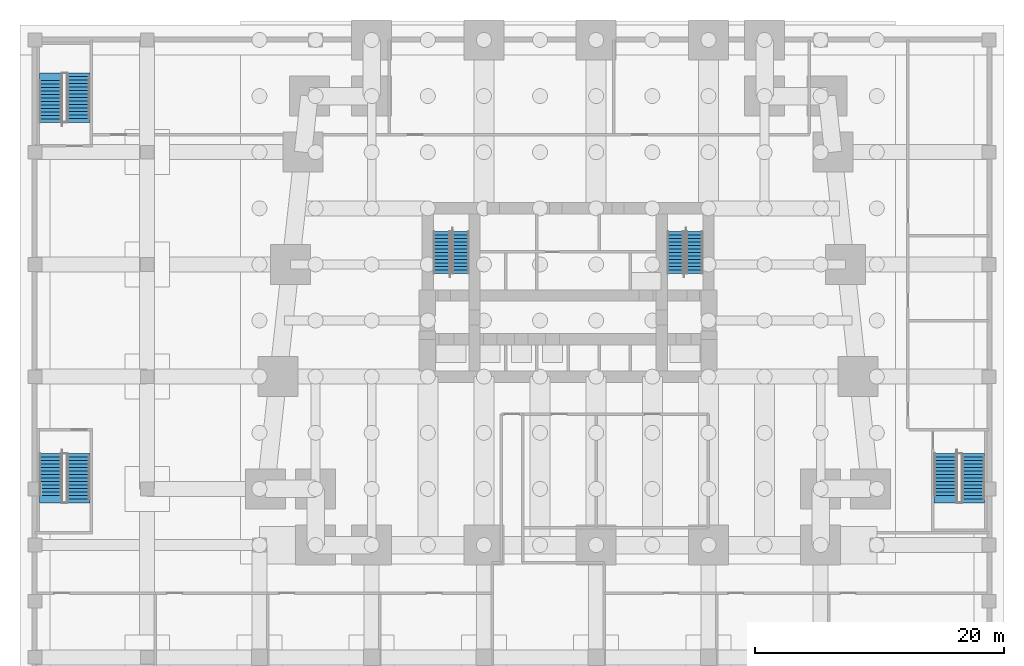
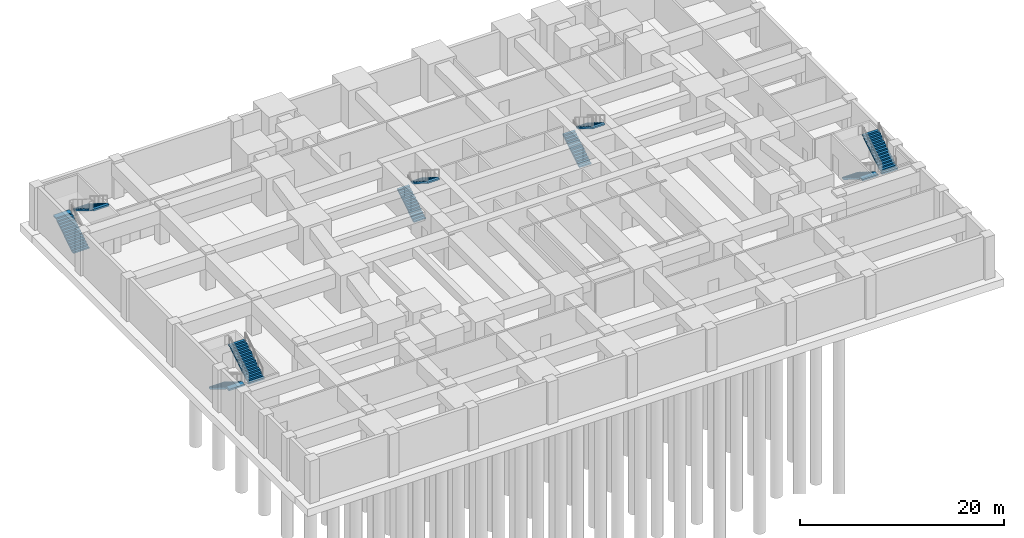
# One storey, part 6 of 9: 10 stair flights, 5 elements without a shape of their own.
"""IFC4 building model written with IfcOpenShell, lengths in metres."""

from ifc_helpers import new_model, si_unit, direction, frame, origin, place, context, subcontext, project, spatial, polyline, outline, extrude, material, type_object, element, aggregate, save


model = new_model("IFC4")

# Units and contexts
model_context = context("Model", 3, precision=1e-05, world=origin(), true_north=direction((0.0, 1.0)))
body_context = subcontext(model_context, "Body", "Model", "MODEL_VIEW")
ifc_project = project(units=[si_unit("LENGTHUNIT", "METRE"), si_unit("AREAUNIT", "SQUARE_METRE"), si_unit("VOLUMEUNIT", "CUBIC_METRE"), si_unit("PLANEANGLEUNIT", "RADIAN"), si_unit("MASSUNIT", "GRAM", prefix="KILO")], contexts=[model_context])

# Site, building, storey
site_placement = place(None, origin())
site = spatial("IfcSite", under=ifc_project, at=site_placement, CompositionType="ELEMENT")
building_placement = place(site_placement, origin())
building = spatial("IfcBuilding", under=site, at=building_placement, Name="Kilele Tower Hotel", CompositionType="ELEMENT")
storey_placement = place(building_placement, frame((0.0, 0.0, -9.0)))
storey = spatial("IfcBuildingStorey", under=building, at=storey_placement, Name="B2", CompositionType="ELEMENT", Elevation=-9.0)

# Stair, stair flights
ifc_material_1 = material(Name="Precast concrete C40/50", Category="concrete")
stair_type_1 = type_object("IfcStairType", Name="Stair 1325 x 4500", PredefinedType="HALF_TURN_STAIR", material=ifc_material_1)
stair_1_placement = place(storey_placement, origin())
stair_1 = element("IfcStair", 1, at=stair_1_placement, inside=storey, type_object=stair_type_1, Name="Stair 1 B2", PredefinedType="HALF_TURN_STAIR")
ifc_material_2 = material(Name="Precast concrete C40/50", Category="concrete")
stair_flight_type_1 = type_object("IfcStairFlightType", Name="Flight 1325 riser 173.1", PredefinedType="STRAIGHT", material=ifc_material_2)
stair_flight_1_placement = place(storey_placement, frame((14.612548828125, 21.77490234375, 0.0), z_axis=(0.0, 0.0, 1.0), x_axis=(0.0, 1.0, 0.0)))
stair_flight_1 = element("IfcStairFlight", 2, at=stair_flight_1_placement, type_object=stair_flight_type_1, Name="ST1 flight 1", NumberOfRisers=13, NumberOfTreads=12, PredefinedType="STRAIGHT", RiserHeight=0.173076923, TreadLength=0.28, context=body_context, shape_type="SweptSolid", body=[
    extrude(outline(polyline([(0.0, 0.0), (0.0, 0.173095703125), (0.280029296875, 0.173095703125), (0.280029296875, 0.34619140625), (0.56005859375, 0.34619140625), (0.56005859375, 0.519287109375), (0.840087890625, 0.519287109375), (0.840087890625, 0.6923828125), (1.1201171875, 0.6923828125), (1.1201171875, 0.865478515625), (1.39990234375, 0.865478515625), (1.39990234375, 1.03857421875), (1.679931640625, 1.03857421875), (1.679931640625, 1.21142578125), (1.9599609375, 1.21142578125), (1.9599609375, 1.384521484375), (2.239990234375, 1.384521484375), (2.239990234375, 1.5576171875), (2.52001953125, 1.5576171875), (2.52001953125, 1.730712890625), (2.800048828125, 1.730712890625), (2.800048828125, 1.90380859375), (3.080078125, 1.90380859375), (3.080078125, 2.076904296875), (3.360107421875, 2.076904296875), (3.360107421875, 2.25), (3.360107421875, 1.900634765625), (0.28515625, 0.0), (0.0, 0.0)])), frame((0.0, 0.66259765625, 0.0), z_axis=(0.0, -1.0, 0.0), x_axis=(1.0, 0.0, 0.0)), (0.0, 0.0, 1.0), 1.324951171875),
])
stair_flight_2_placement = place(storey_placement, frame((16.137451171875, 25.135009765625, 2.25), z_axis=(0.0, 0.0, 1.0), x_axis=(0.0, -1.0, 0.0)))
stair_flight_2 = element("IfcStairFlight", 3, at=stair_flight_2_placement, type_object=stair_flight_type_1, Name="ST1 flight 2", NumberOfRisers=13, NumberOfTreads=12, PredefinedType="STRAIGHT", RiserHeight=0.173076923, TreadLength=0.28, context=body_context, shape_type="SweptSolid", body=[
    extrude(outline(polyline([(0.0, 0.0), (0.0, 0.173095703125), (0.280029296875, 0.173095703125), (0.280029296875, 0.34619140625), (0.56005859375, 0.34619140625), (0.56005859375, 0.519287109375), (0.840087890625, 0.519287109375), (0.840087890625, 0.6923828125), (1.1201171875, 0.6923828125), (1.1201171875, 0.865478515625), (1.39990234375, 0.865478515625), (1.39990234375, 1.03857421875), (1.679931640625, 1.03857421875), (1.679931640625, 1.21142578125), (1.9599609375, 1.21142578125), (1.9599609375, 1.384521484375), (2.239990234375, 1.384521484375), (2.239990234375, 1.5576171875), (2.52001953125, 1.5576171875), (2.52001953125, 1.730712890625), (2.800048828125, 1.730712890625), (2.800048828125, 1.90380859375), (3.080078125, 1.90380859375), (3.080078125, 2.076904296875), (3.360107421875, 2.076904296875), (3.360107421875, 2.25), (3.360107421875, 1.900634765625), (0.28515625, 0.0), (0.0, 0.0)])), frame((0.0, 0.66259765625, 0.0), z_axis=(0.0, -1.0, 0.0), x_axis=(1.0, 0.0, 0.0)), (0.0, 0.0, 1.0), 1.324951171875),
])
aggregate(stair_1, [stair_flight_1, stair_flight_2])

stair_2_placement = place(storey_placement, origin())
stair_2 = element("IfcStair", 4, at=stair_2_placement, inside=storey, type_object=stair_type_1, Name="Stair 2 B2", PredefinedType="HALF_TURN_STAIR")
stair_flight_3_placement = place(storey_placement, frame((33.362548828125, 21.77490234375, 0.0), z_axis=(0.0, 0.0, 1.0), x_axis=(0.0, 1.0, 0.0)))
stair_flight_3 = element("IfcStairFlight", 5, at=stair_flight_3_placement, type_object=stair_flight_type_1, Name="ST2 flight 1", NumberOfRisers=13, NumberOfTreads=12, PredefinedType="STRAIGHT", RiserHeight=0.173076923, TreadLength=0.28, context=body_context, shape_type="SweptSolid", body=[
    extrude(outline(polyline([(0.0, 0.0), (0.0, 0.173095703125), (0.280029296875, 0.173095703125), (0.280029296875, 0.34619140625), (0.56005859375, 0.34619140625), (0.56005859375, 0.519287109375), (0.840087890625, 0.519287109375), (0.840087890625, 0.6923828125), (1.1201171875, 0.6923828125), (1.1201171875, 0.865478515625), (1.39990234375, 0.865478515625), (1.39990234375, 1.03857421875), (1.679931640625, 1.03857421875), (1.679931640625, 1.21142578125), (1.9599609375, 1.21142578125), (1.9599609375, 1.384521484375), (2.239990234375, 1.384521484375), (2.239990234375, 1.5576171875), (2.52001953125, 1.5576171875), (2.52001953125, 1.730712890625), (2.800048828125, 1.730712890625), (2.800048828125, 1.90380859375), (3.080078125, 1.90380859375), (3.080078125, 2.076904296875), (3.360107421875, 2.076904296875), (3.360107421875, 2.25), (3.360107421875, 1.900634765625), (0.28515625, 0.0), (0.0, 0.0)])), frame((0.0, 0.66259765625, 0.0), z_axis=(0.0, -1.0, 0.0), x_axis=(1.0, 0.0, 0.0)), (0.0, 0.0, 1.0), 1.324951171875),
])
stair_flight_4_placement = place(storey_placement, frame((34.887451171875, 25.135009765625, 2.25), z_axis=(0.0, 0.0, 1.0), x_axis=(0.0, -1.0, 0.0)))
stair_flight_4 = element("IfcStairFlight", 6, at=stair_flight_4_placement, type_object=stair_flight_type_1, Name="ST2 flight 2", NumberOfRisers=13, NumberOfTreads=12, PredefinedType="STRAIGHT", RiserHeight=0.173076923, TreadLength=0.28, context=body_context, shape_type="SweptSolid", body=[
    extrude(outline(polyline([(0.0, 0.0), (0.0, 0.173095703125), (0.280029296875, 0.173095703125), (0.280029296875, 0.34619140625), (0.56005859375, 0.34619140625), (0.56005859375, 0.519287109375), (0.840087890625, 0.519287109375), (0.840087890625, 0.6923828125), (1.1201171875, 0.6923828125), (1.1201171875, 0.865478515625), (1.39990234375, 0.865478515625), (1.39990234375, 1.03857421875), (1.679931640625, 1.03857421875), (1.679931640625, 1.21142578125), (1.9599609375, 1.21142578125), (1.9599609375, 1.384521484375), (2.239990234375, 1.384521484375), (2.239990234375, 1.5576171875), (2.52001953125, 1.5576171875), (2.52001953125, 1.730712890625), (2.800048828125, 1.730712890625), (2.800048828125, 1.90380859375), (3.080078125, 1.90380859375), (3.080078125, 2.076904296875), (3.360107421875, 2.076904296875), (3.360107421875, 2.25), (3.360107421875, 1.900634765625), (0.28515625, 0.0), (0.0, 0.0)])), frame((0.0, 0.66259765625, 0.0), z_axis=(0.0, -1.0, 0.0), x_axis=(1.0, 0.0, 0.0)), (0.0, 0.0, 1.0), 1.324951171875),
])
aggregate(stair_2, [stair_flight_3, stair_flight_4])

ifc_material_3 = material(Name="Precast concrete C40/50", Category="concrete")
stair_type_2 = type_object("IfcStairType", Name="Stair 1800 x 4500", PredefinedType="HALF_TURN_STAIR", material=ifc_material_3)
stair_3_placement = place(storey_placement, origin())
stair_3 = element("IfcStair", 7, at=stair_3_placement, inside=storey, type_object=stair_type_2, Name="Stair 3 B2", PredefinedType="HALF_TURN_STAIR")
ifc_material_4 = material(Name="Precast concrete C40/50", Category="concrete")
stair_flight_type_2 = type_object("IfcStairFlightType", Name="Flight 1800 riser 173.1", PredefinedType="STRAIGHT", material=ifc_material_4)
stair_flight_5_placement = place(storey_placement, frame((-16.75, 33.89990234375, 0.0), z_axis=(0.0, 0.0, 1.0), x_axis=(0.0, 1.0, 0.0)))
stair_flight_5 = element("IfcStairFlight", 8, at=stair_flight_5_placement, type_object=stair_flight_type_2, Name="ST3 flight 1", NumberOfRisers=13, NumberOfTreads=12, PredefinedType="STRAIGHT", RiserHeight=0.173076923, TreadLength=0.28, context=body_context, shape_type="SweptSolid", body=[
    extrude(outline(polyline([(0.0, 0.0), (0.0, 0.173095703125), (0.280029296875, 0.173095703125), (0.280029296875, 0.34619140625), (0.56005859375, 0.34619140625), (0.56005859375, 0.519287109375), (0.840087890625, 0.519287109375), (0.840087890625, 0.6923828125), (1.1201171875, 0.6923828125), (1.1201171875, 0.865478515625), (1.39990234375, 0.865478515625), (1.39990234375, 1.03857421875), (1.679931640625, 1.03857421875), (1.679931640625, 1.21142578125), (1.9599609375, 1.21142578125), (1.9599609375, 1.384521484375), (2.239990234375, 1.384521484375), (2.239990234375, 1.5576171875), (2.52001953125, 1.5576171875), (2.52001953125, 1.730712890625), (2.800048828125, 1.730712890625), (2.800048828125, 1.90380859375), (3.080078125, 1.90380859375), (3.080078125, 2.076904296875), (3.360107421875, 2.076904296875), (3.360107421875, 2.25), (3.360107421875, 1.900634765625), (0.28515625, 0.0), (0.0, 0.0)])), frame((0.0, 0.89990234375, 0.0), z_axis=(0.0, -1.0, 0.0), x_axis=(1.0, 0.0, 0.0)), (0.0, 0.0, 1.0), 1.800048828125),
    extrude(outline(polyline([(3.360107421875, 0.89990234375), (3.360107421875, -0.89990234375), (3.960205078125, -0.89990234375), (3.960205078125, 0.89990234375), (3.360107421875, 0.89990234375)])), frame((0.0, 0.0, 2.050048828125)), (0.0, 0.0, 1.0), 0.199951171875),
])
stair_flight_6_placement = place(storey_placement, frame((-14.5, 37.56005859375, 2.25), z_axis=(0.0, 0.0, 1.0), x_axis=(0.0, -1.0, 0.0)))
stair_flight_6 = element("IfcStairFlight", 9, at=stair_flight_6_placement, type_object=stair_flight_type_2, Name="ST3 flight 2", NumberOfRisers=13, NumberOfTreads=12, PredefinedType="STRAIGHT", RiserHeight=0.173076923, TreadLength=0.28, context=body_context, shape_type="SweptSolid", body=[
    extrude(outline(polyline([(0.0, 0.0), (0.0, 0.173095703125), (0.280029296875, 0.173095703125), (0.280029296875, 0.34619140625), (0.56005859375, 0.34619140625), (0.56005859375, 0.519287109375), (0.840087890625, 0.519287109375), (0.840087890625, 0.6923828125), (1.1201171875, 0.6923828125), (1.1201171875, 0.865478515625), (1.39990234375, 0.865478515625), (1.39990234375, 1.03857421875), (1.679931640625, 1.03857421875), (1.679931640625, 1.21142578125), (1.9599609375, 1.21142578125), (1.9599609375, 1.384521484375), (2.239990234375, 1.384521484375), (2.239990234375, 1.5576171875), (2.52001953125, 1.5576171875), (2.52001953125, 1.730712890625), (2.800048828125, 1.730712890625), (2.800048828125, 1.90380859375), (3.080078125, 1.90380859375), (3.080078125, 2.076904296875), (3.360107421875, 2.076904296875), (3.360107421875, 2.25), (3.360107421875, 1.900634765625), (0.28515625, 0.0), (0.0, 0.0)])), frame((0.0, 0.89990234375, 0.0), z_axis=(0.0, -1.0, 0.0), x_axis=(1.0, 0.0, 0.0)), (0.0, 0.0, 1.0), 1.800048828125),
    extrude(outline(polyline([(0.0, -0.89990234375), (0.0, 0.89990234375), (-0.300048828125, 0.89990234375), (-0.300048828125, -0.89990234375), (0.0, -0.89990234375)])), frame((0.0, 0.0, -0.199951171875)), (0.0, 0.0, 1.0), 0.199951171875),
    extrude(outline(polyline([(3.66015625, -0.89990234375), (3.66015625, 0.89990234375), (3.360107421875, 0.89990234375), (3.360107421875, -0.89990234375), (3.66015625, -0.89990234375)])), frame((0.0, 0.0, 2.050048828125)), (0.0, 0.0, 1.0), 0.199951171875),
])
aggregate(stair_3, [stair_flight_5, stair_flight_6])

stair_4_placement = place(storey_placement, origin())
stair_4 = element("IfcStair", 10, at=stair_4_placement, inside=storey, type_object=stair_type_2, Name="Stair 4 B2", PredefinedType="HALF_TURN_STAIR")
stair_flight_7_placement = place(storey_placement, frame((-16.75, 7.35009765625, 0.0), z_axis=(0.0, 0.0, 1.0), x_axis=(0.0, -1.0, 0.0)))
stair_flight_7 = element("IfcStairFlight", 11, at=stair_flight_7_placement, type_object=stair_flight_type_2, Name="ST4 flight 1", NumberOfRisers=13, NumberOfTreads=12, PredefinedType="STRAIGHT", RiserHeight=0.173076923, TreadLength=0.28, context=body_context, shape_type="SweptSolid", body=[
    extrude(outline(polyline([(0.0, 0.0), (0.0, 0.173095703125), (0.280029296875, 0.173095703125), (0.280029296875, 0.34619140625), (0.56005859375, 0.34619140625), (0.56005859375, 0.519287109375), (0.840087890625, 0.519287109375), (0.840087890625, 0.6923828125), (1.1201171875, 0.6923828125), (1.1201171875, 0.865478515625), (1.39990234375, 0.865478515625), (1.39990234375, 1.03857421875), (1.679931640625, 1.03857421875), (1.679931640625, 1.21142578125), (1.9599609375, 1.21142578125), (1.9599609375, 1.384521484375), (2.239990234375, 1.384521484375), (2.239990234375, 1.5576171875), (2.52001953125, 1.5576171875), (2.52001953125, 1.730712890625), (2.800048828125, 1.730712890625), (2.800048828125, 1.90380859375), (3.080078125, 1.90380859375), (3.080078125, 2.076904296875), (3.360107421875, 2.076904296875), (3.360107421875, 2.25), (3.360107421875, 1.900634765625), (0.28515625, 0.0), (0.0, 0.0)])), frame((0.0, 0.89990234375, 0.0), z_axis=(0.0, -1.0, 0.0), x_axis=(1.0, 0.0, 0.0)), (0.0, 0.0, 1.0), 1.800048828125),
    extrude(outline(polyline([(3.960205078125, -0.89990234375), (3.960205078125, 0.89990234375), (3.360107421875, 0.89990234375), (3.360107421875, -0.89990234375), (3.960205078125, -0.89990234375)])), frame((0.0, 0.0, 2.050048828125)), (0.0, 0.0, 1.0), 0.199951171875),
])
stair_flight_8_placement = place(storey_placement, frame((-14.5, 3.68994140625, 2.25), z_axis=(0.0, 0.0, 1.0), x_axis=(0.0, 1.0, 0.0)))
stair_flight_8 = element("IfcStairFlight", 12, at=stair_flight_8_placement, type_object=stair_flight_type_2, Name="ST4 flight 2", NumberOfRisers=13, NumberOfTreads=12, PredefinedType="STRAIGHT", RiserHeight=0.173076923, TreadLength=0.28, context=body_context, shape_type="SweptSolid", body=[
    extrude(outline(polyline([(0.0, 0.0), (0.0, 0.173095703125), (0.280029296875, 0.173095703125), (0.280029296875, 0.34619140625), (0.56005859375, 0.34619140625), (0.56005859375, 0.519287109375), (0.840087890625, 0.519287109375), (0.840087890625, 0.6923828125), (1.1201171875, 0.6923828125), (1.1201171875, 0.865478515625), (1.39990234375, 0.865478515625), (1.39990234375, 1.03857421875), (1.679931640625, 1.03857421875), (1.679931640625, 1.21142578125), (1.9599609375, 1.21142578125), (1.9599609375, 1.384521484375), (2.239990234375, 1.384521484375), (2.239990234375, 1.5576171875), (2.52001953125, 1.5576171875), (2.52001953125, 1.730712890625), (2.800048828125, 1.730712890625), (2.800048828125, 1.90380859375), (3.080078125, 1.90380859375), (3.080078125, 2.076904296875), (3.360107421875, 2.076904296875), (3.360107421875, 2.25), (3.360107421875, 1.900634765625), (0.28515625, 0.0), (0.0, 0.0)])), frame((0.0, 0.89990234375, 0.0), z_axis=(0.0, -1.0, 0.0), x_axis=(1.0, 0.0, 0.0)), (0.0, 0.0, 1.0), 1.800048828125),
    extrude(outline(polyline([(-0.300048828125, 0.89990234375), (-0.300048828125, -0.89990234375), (0.0, -0.89990234375), (0.0, 0.89990234375), (-0.300048828125, 0.89990234375)])), frame((0.0, 0.0, -0.199951171875)), (0.0, 0.0, 1.0), 0.199951171875),
    extrude(outline(polyline([(3.360107421875, 0.89990234375), (3.360107421875, -0.89990234375), (3.66015625, -0.89990234375), (3.66015625, 0.89990234375), (3.360107421875, 0.89990234375)])), frame((0.0, 0.0, 2.050048828125)), (0.0, 0.0, 1.0), 0.199951171875),
])
aggregate(stair_4, [stair_flight_7, stair_flight_8])

stair_5_placement = place(storey_placement, origin())
stair_5 = element("IfcStair", 13, at=stair_5_placement, inside=storey, type_object=stair_type_2, Name="Stair 5 B2", PredefinedType="HALF_TURN_STAIR")
stair_flight_9_placement = place(storey_placement, frame((55.0, 7.35009765625, 0.0), z_axis=(0.0, 0.0, 1.0), x_axis=(0.0, -1.0, 0.0)))
stair_flight_9 = element("IfcStairFlight", 14, at=stair_flight_9_placement, type_object=stair_flight_type_2, Name="ST5 flight 1", NumberOfRisers=13, NumberOfTreads=12, PredefinedType="STRAIGHT", RiserHeight=0.173076923, TreadLength=0.28, context=body_context, shape_type="SweptSolid", body=[
    extrude(outline(polyline([(0.0, 0.0), (0.0, 0.173095703125), (0.280029296875, 0.173095703125), (0.280029296875, 0.34619140625), (0.56005859375, 0.34619140625), (0.56005859375, 0.519287109375), (0.840087890625, 0.519287109375), (0.840087890625, 0.6923828125), (1.1201171875, 0.6923828125), (1.1201171875, 0.865478515625), (1.39990234375, 0.865478515625), (1.39990234375, 1.03857421875), (1.679931640625, 1.03857421875), (1.679931640625, 1.21142578125), (1.9599609375, 1.21142578125), (1.9599609375, 1.384521484375), (2.239990234375, 1.384521484375), (2.239990234375, 1.5576171875), (2.52001953125, 1.5576171875), (2.52001953125, 1.730712890625), (2.800048828125, 1.730712890625), (2.800048828125, 1.90380859375), (3.080078125, 1.90380859375), (3.080078125, 2.076904296875), (3.360107421875, 2.076904296875), (3.360107421875, 2.25), (3.360107421875, 1.900634765625), (0.28515625, 0.0), (0.0, 0.0)])), frame((0.0, 0.89990234375, 0.0), z_axis=(0.0, -1.0, 0.0), x_axis=(1.0, 0.0, 0.0)), (0.0, 0.0, 1.0), 1.800048828125),
    extrude(outline(polyline([(3.960205078125, -0.89990234375), (3.960205078125, 0.89990234375), (3.360107421875, 0.89990234375), (3.360107421875, -0.89990234375), (3.960205078125, -0.89990234375)])), frame((0.0, 0.0, 2.050048828125)), (0.0, 0.0, 1.0), 0.199951171875),
])
stair_flight_10_placement = place(storey_placement, frame((57.25, 3.68994140625, 2.25), z_axis=(0.0, 0.0, 1.0), x_axis=(0.0, 1.0, 0.0)))
stair_flight_10 = element("IfcStairFlight", 15, at=stair_flight_10_placement, type_object=stair_flight_type_2, Name="ST5 flight 2", NumberOfRisers=13, NumberOfTreads=12, PredefinedType="STRAIGHT", RiserHeight=0.173076923, TreadLength=0.28, context=body_context, shape_type="SweptSolid", body=[
    extrude(outline(polyline([(0.0, 0.0), (0.0, 0.173095703125), (0.280029296875, 0.173095703125), (0.280029296875, 0.34619140625), (0.56005859375, 0.34619140625), (0.56005859375, 0.519287109375), (0.840087890625, 0.519287109375), (0.840087890625, 0.6923828125), (1.1201171875, 0.6923828125), (1.1201171875, 0.865478515625), (1.39990234375, 0.865478515625), (1.39990234375, 1.03857421875), (1.679931640625, 1.03857421875), (1.679931640625, 1.21142578125), (1.9599609375, 1.21142578125), (1.9599609375, 1.384521484375), (2.239990234375, 1.384521484375), (2.239990234375, 1.5576171875), (2.52001953125, 1.5576171875), (2.52001953125, 1.730712890625), (2.800048828125, 1.730712890625), (2.800048828125, 1.90380859375), (3.080078125, 1.90380859375), (3.080078125, 2.076904296875), (3.360107421875, 2.076904296875), (3.360107421875, 2.25), (3.360107421875, 1.900634765625), (0.28515625, 0.0), (0.0, 0.0)])), frame((0.0, 0.89990234375, 0.0), z_axis=(0.0, -1.0, 0.0), x_axis=(1.0, 0.0, 0.0)), (0.0, 0.0, 1.0), 1.800048828125),
    extrude(outline(polyline([(-0.300048828125, 0.89990234375), (-0.300048828125, -0.89990234375), (0.0, -0.89990234375), (0.0, 0.89990234375), (-0.300048828125, 0.89990234375)])), frame((0.0, 0.0, -0.199951171875)), (0.0, 0.0, 1.0), 0.199951171875),
    extrude(outline(polyline([(3.360107421875, 0.89990234375), (3.360107421875, -0.89990234375), (3.66015625, -0.89990234375), (3.66015625, 0.89990234375), (3.360107421875, 0.89990234375)])), frame((0.0, 0.0, 2.050048828125)), (0.0, 0.0, 1.0), 0.199951171875),
])
aggregate(stair_5, [stair_flight_9, stair_flight_10])

save(model, "model.ifc")
